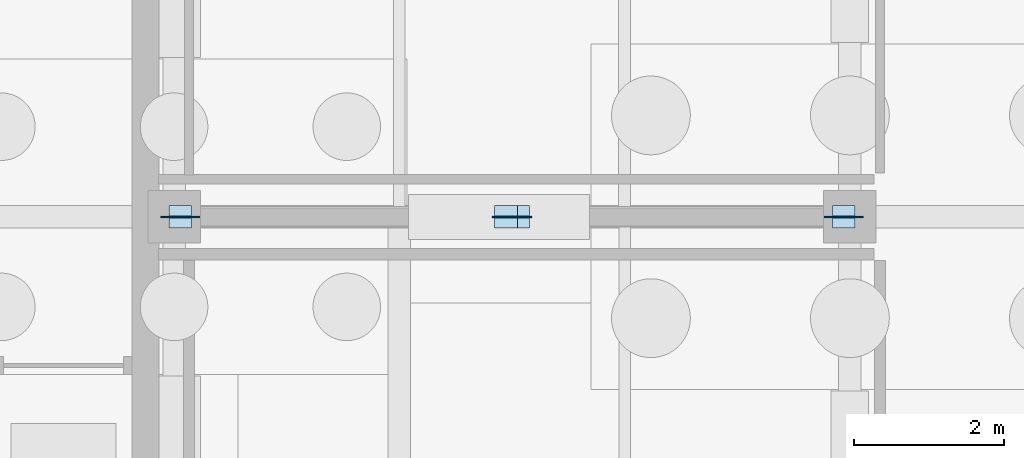
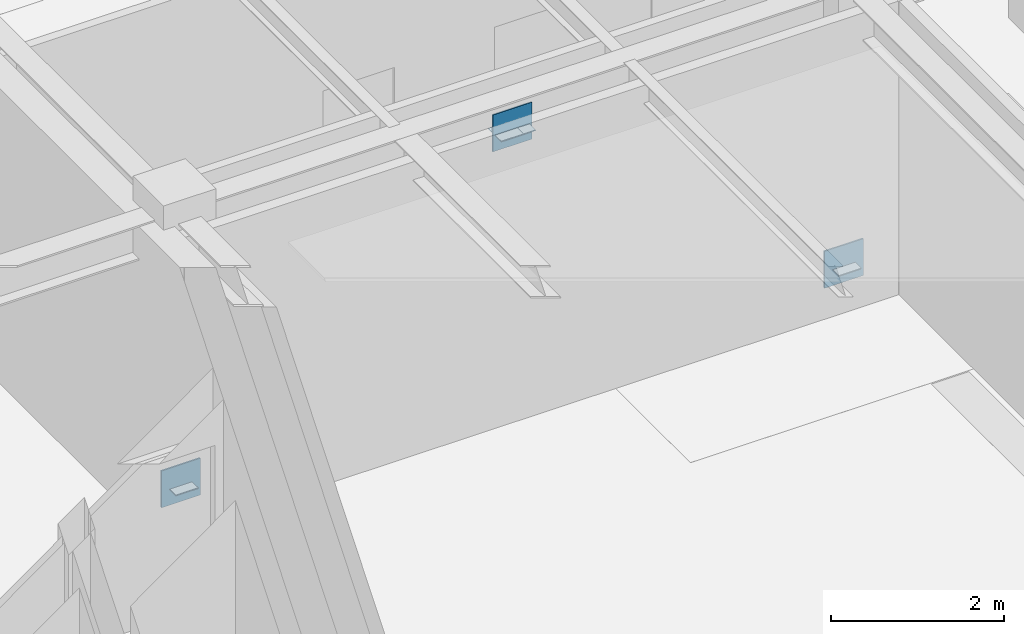
# One storey, part 22 of 40: 7 plates.
"""IFC4 building model written with IfcOpenShell, lengths in metres."""

from ifc_helpers import new_model, si_unit, direction, frame, origin, origin_2d, place, context, subcontext, project, spatial, rectangle, extrude, material, layer, layer_set, type_object, element, save


model = new_model("IFC4")

# Units and contexts
model_context = context("Model", 3, precision=1e-05, world=origin(), true_north=direction((0.0, 1.0)))
body_context = subcontext(model_context, "Body", "Model", "MODEL_VIEW")
ifc_project = project(units=[si_unit("LENGTHUNIT", "METRE"), si_unit("AREAUNIT", "SQUARE_METRE"), si_unit("VOLUMEUNIT", "CUBIC_METRE"), si_unit("PLANEANGLEUNIT", "RADIAN"), si_unit("MASSUNIT", "GRAM", prefix="KILO")], contexts=[model_context])

# Site, building, storey
site_placement = place(None, origin())
site = spatial("IfcSite", under=ifc_project, at=site_placement, CompositionType="ELEMENT")
building_placement = place(site_placement, origin())
building = spatial("IfcBuilding", under=site, at=building_placement, Name="Montelvaro Courts of Justice", CompositionType="ELEMENT")
storey_placement = place(building_placement, frame((0.0, 0.0, -4.5)))
storey = spatial("IfcBuildingStorey", under=building, at=storey_placement, Name="B01", CompositionType="ELEMENT", Elevation=-4.5)

# Plates
ifc_material = material(Name="Steel S355", Category="steel")
ifc_layer_1 = layer(ifc_material, 0.011962890625)
ifc_layer_set_1 = layer_set([ifc_layer_1], Name="Steel S355")
plate_type_1 = type_object("IfcPlateType", Name="EndCapPlate_12", PredefinedType="USERDEFINED", material=ifc_layer_set_1)
for number, where, z_axis, x_axis, name in (
    (1, (63.080078125, 12.0, 0.19384765625), (0.0, 0.0, 1.0), (1.0, 0.0, 0.0), "Brace End Cap Plate CP-01 CBF1-B01-1A"),
    (2, (67.419921875, 12.0, 3.6640625), (0.0, 0.0, 1.0), (1.0, 0.0, 0.0), "Brace End Cap Plate CP-01 CBF1-B01-1B"),
    (3, (71.919921875, 12.0, 0.19384765625), (0.0, 0.0, 1.0), (1.0, 0.0, 0.0), "Brace End Cap Plate CP-01 CBF1-B01-2A"),
    (4, (67.580078125, 12.0, 3.6640625), (0.0, 0.0, 1.0), (1.0, 0.0, 0.0), "Brace End Cap Plate CP-01 CBF1-B01-2B"),
):
    element("IfcPlate", number, at=place(storey_placement, frame(where, z_axis=z_axis, x_axis=x_axis)), inside=storey, type_object=plate_type_1, Name=name, ObjectType="GUSSET PLATE", PredefinedType="USERDEFINED", context=body_context, shape_type="SweptSolid", body=[
        extrude(rectangle(XDim=0.300048828125, YDim=0.300048828125, at=origin_2d()), origin(), (0.0, 0.0, 1.0), 0.011962890625),
    ])
ifc_layer_2 = layer(ifc_material, 0.02001953125)
ifc_layer_set_2 = layer_set([ifc_layer_2], Name="Steel S355")
plate_type_2 = type_object("IfcPlateType", Name="GussetPlate_20", PredefinedType="USERDEFINED", material=ifc_layer_set_2)
for number, where, z_axis, x_axis, name in (
    (5, (63.080078125, 12.0, -0.02001953125), (0.0, 0.0, 1.0), (1.0, 0.0, 0.0), "Chevron Brace Base Gusset Plate GP-01 CBF1-B01-B1"),
    (6, (71.919921875, 12.0, -0.02001953125), (0.0, 0.0, 1.0), (1.0, 0.0, 0.0), "Chevron Brace Base Gusset Plate GP-01 CBF1-B01-B2"),
    (7, (67.5, 12.0, 3.449951171875), (0.0, 0.0, 1.0), (1.0, 0.0, 0.0), "Chevron Brace Gusset Plate GP-01 CBF1-B01"),
):
    element("IfcPlate", number, at=place(storey_placement, frame(where, z_axis=z_axis, x_axis=x_axis)), inside=storey, type_object=plate_type_2, Name=name, ObjectType="GUSSET PLATE", PredefinedType="USERDEFINED", context=body_context, shape_type="SweptSolid", body=[
        extrude(rectangle(XDim=0.52001953125, YDim=0.02001953125, at=origin_2d()), origin(), (0.0, 0.0, 1.0), 0.52001953125),
    ])

save(model, "model.ifc")
